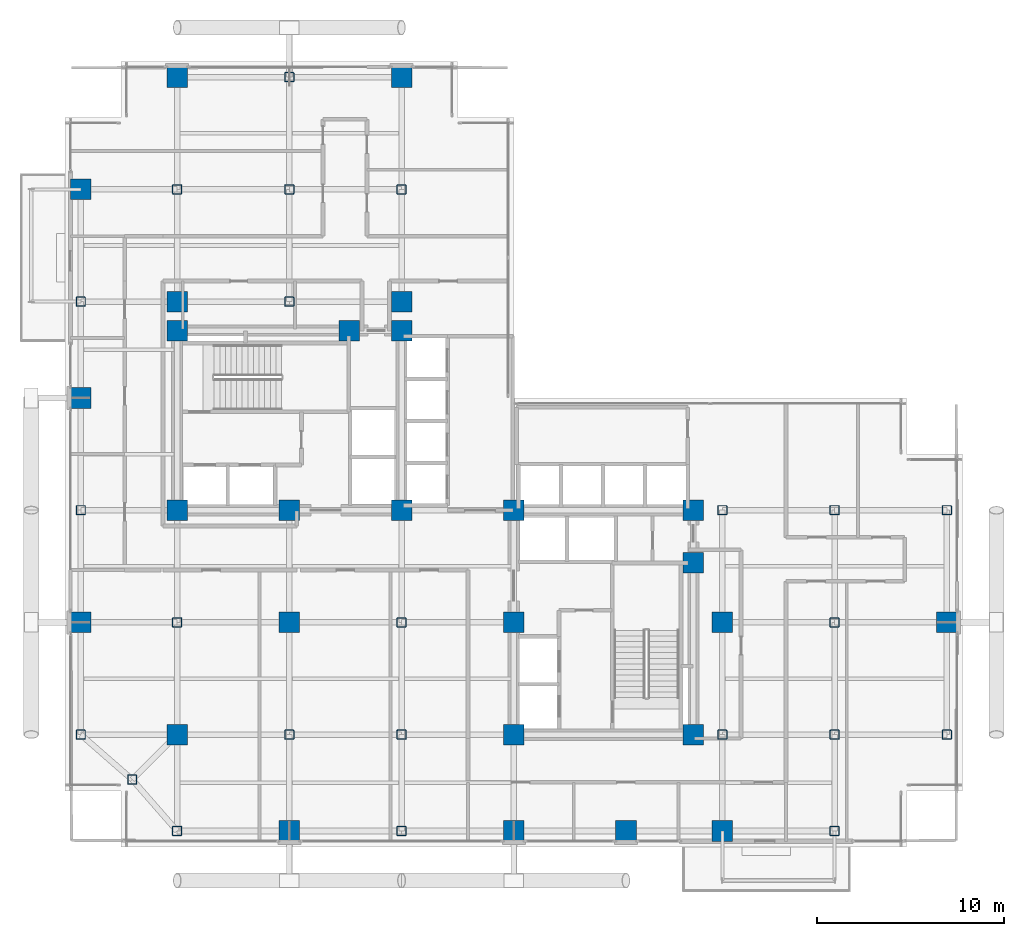
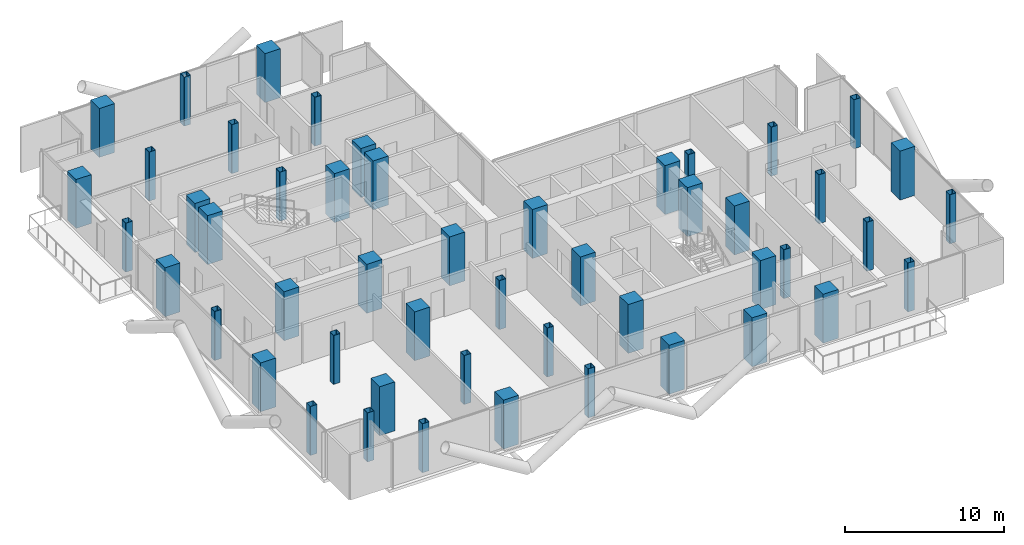
# One storey, part 1 of 28: 50 columns.
"""IFC4 building model written with IfcOpenShell, lengths in metres."""

from ifc_helpers import new_model, si_unit, direction, frame, origin, origin_2d, place, context, subcontext, project, spatial, rectangle, hollow_rectangle, extrude, material, material_profile, profile_set, type_object, element, save


model = new_model("IFC4")

# Units and contexts
model_context = context("Model", 3, precision=1e-05, world=origin(), true_north=direction((0.0, 1.0)))
body_context = subcontext(model_context, "Body", "Model", "MODEL_VIEW")
ifc_project = project(units=[si_unit("LENGTHUNIT", "METRE"), si_unit("AREAUNIT", "SQUARE_METRE"), si_unit("VOLUMEUNIT", "CUBIC_METRE"), si_unit("PLANEANGLEUNIT", "RADIAN"), si_unit("MASSUNIT", "GRAM", prefix="KILO"), si_unit("THERMODYNAMICTEMPERATUREUNIT", "KELVIN"), si_unit("POWERUNIT", "WATT")], contexts=[model_context])

# Site, building, storey
site_placement = place(None, origin())
site = spatial("IfcSite", under=ifc_project, at=site_placement, CompositionType="ELEMENT")
building_placement = place(site_placement, origin())
building = spatial("IfcBuilding", under=site, at=building_placement, Name="Svarakhadi Broadcast Tower", CompositionType="ELEMENT")
storey_placement = place(building_placement, frame((0.0, 0.0, 107.10009765625)))
storey = spatial("IfcBuildingStorey", under=building, at=storey_placement, Name="L25", CompositionType="ELEMENT", Elevation=107.10009765625)

# Columns
ifc_material_1 = material(Name="Concrete C50/60 (IS 456 M60)", Category="concrete")
ifc_material_profile_1 = material_profile(ifc_material_1, rectangle(XDim=1.10009765625, YDim=1.10009765625, at=origin_2d()), Name="RC 1100x1100")
ifc_profile_set_1 = profile_set([ifc_material_profile_1], Name="Concrete C50/60 (IS 456 M60)")
column_type_1 = type_object("IfcColumnType", Name="Col_RC1100", PredefinedType="COLUMN", material=ifc_profile_set_1)
for number, where, z_axis, x_axis, name in (
    (1, (6.0, 18.0, 0.0), (0.0, 0.0, 1.0), (1.0, 0.0, 0.0), "L25 Column CW1"),
    (2, (12.0, 18.0, 0.0), (0.0, 0.0, 1.0), (1.0, 0.0, 0.0), "L25 Column CW2"),
    (3, (18.0, 18.0, 0.0), (0.0, 0.0, 1.0), (1.0, 0.0, 0.0), "L25 Column CW3"),
    (4, (6.0, 27.60009765625, 0.0), (0.0, 0.0, 1.0), (1.0, 0.0, 0.0), "L25 Column CW4"),
    (5, (15.199951171875, 27.60009765625, 0.0), (0.0, 0.0, 1.0), (1.0, 0.0, 0.0), "L25 Column CW5"),
    (6, (18.0, 27.60009765625, 0.0), (0.0, 0.0, 1.0), (1.0, 0.0, 0.0), "L25 Column CW6"),
    (7, (24.0, 6.0, 0.0), (0.0, 0.0, 1.0), (1.0, 0.0, 0.0), "L25 Column CE1"),
    (8, (24.0, 12.0, 0.0), (0.0, 0.0, 1.0), (1.0, 0.0, 0.0), "L25 Column CE2"),
    (9, (24.0, 18.0, 0.0), (0.0, 0.0, 1.0), (1.0, 0.0, 0.0), "L25 Column CE3"),
    (10, (33.60009765625, 6.0, 0.0), (0.0, 0.0, 1.0), (1.0, 0.0, 0.0), "L25 Column CE4"),
    (11, (33.60009765625, 15.199951171875, 0.0), (0.0, 0.0, 1.0), (1.0, 0.0, 0.0), "L25 Column CE5"),
    (12, (33.60009765625, 18.0, 0.0), (0.0, 0.0, 1.0), (1.0, 0.0, 0.0), "L25 Column CE6"),
    (13, (0.85009765625, 12.0, 0.0), (0.0, 0.0, 1.0), (1.0, 0.0, 0.0), "L25 Column G04"),
    (14, (0.85009765625, 24.0, 0.0), (0.0, 0.0, 1.0), (1.0, 0.0, 0.0), "L25 Column G06"),
    (15, (0.85009765625, 35.14990234375, 0.0), (0.0, 0.0, 1.0), (1.0, 0.0, 0.0), "L25 Column G08"),
    (16, (6.0, 6.0, 0.0), (0.0, 0.0, 1.0), (1.0, 0.0, 0.0), "L25 Column G12"),
    (17, (6.0, 29.14990234375, 0.0), (0.0, 0.0, 1.0), (1.0, 0.0, 0.0), "L25 Column G14"),
    (18, (6.0, 41.14990234375, 0.0), (0.0, 0.0, 1.0), (1.0, 0.0, 0.0), "L25 Column G16"),
    (19, (12.0, 0.85009765625, 0.0), (0.0, 0.0, 1.0), (1.0, 0.0, 0.0), "L25 Column G18"),
    (20, (12.0, 12.0, 0.0), (0.0, 0.0, 1.0), (1.0, 0.0, 0.0), "L25 Column G20"),
    (21, (18.0, 29.14990234375, 0.0), (0.0, 0.0, 1.0), (1.0, 0.0, 0.0), "L25 Column G28"),
    (22, (18.0, 41.14990234375, 0.0), (0.0, 0.0, 1.0), (1.0, 0.0, 0.0), "L25 Column G30"),
    (23, (24.0, 0.85009765625, 0.0), (0.0, 0.0, 1.0), (1.0, 0.0, 0.0), "L25 Column G32"),
    (24, (30.0, 0.85009765625, 0.0), (0.0, 0.0, 1.0), (1.0, 0.0, 0.0), "L25 Column G36"),
    (25, (35.14990234375, 0.85009765625, 0.0), (0.0, 0.0, 1.0), (1.0, 0.0, 0.0), "L25 Column G38"),
    (26, (35.14990234375, 12.0, 0.0), (0.0, 0.0, 1.0), (1.0, 0.0, 0.0), "L25 Column G40"),
    (27, (47.14990234375, 12.0, 0.0), (0.0, 0.0, 1.0), (1.0, 0.0, 0.0), "L25 Column G52"),
):
    element("IfcColumn", number, at=place(storey_placement, frame(where, z_axis=z_axis, x_axis=x_axis)), inside=storey, type_object=column_type_1, Name=name, PredefinedType="COLUMN", context=body_context, shape_type="SweptSolid", body=[
        extrude(rectangle(XDim=1.10009765625, YDim=1.10009765625, at=origin_2d()), origin(), (0.0, 0.0, 1.0), 3.75),
    ])
ifc_material_2 = material(Name="Steel S460ML (IS 2062 E450BR)", Category="steel")
ifc_material_profile_2 = material_profile(ifc_material_2, hollow_rectangle(XDim=0.5, YDim=0.5, WallThickness=0.02490234375, InnerFilletRadius=0.02490234375, OuterFilletRadius=0.0400390625, at=origin_2d()), Name="SHS 500x500x25")
ifc_profile_set_2 = profile_set([ifc_material_profile_2], Name="Steel S460ML (IS 2062 E450BR)")
column_type_2 = type_object("IfcColumnType", Name="Col_SHS500", PredefinedType="COLUMN", material=ifc_profile_set_2)
for number, where, z_axis, x_axis, name in (
    (28, (3.60009765625, 3.60009765625, 0.0), (0.0, 0.0, 1.0), (1.0, 0.0, 0.0), "L25 Column G01"),
    (29, (0.85009765625, 6.0, 0.0), (0.0, 0.0, 1.0), (1.0, 0.0, 0.0), "L25 Column G03"),
    (30, (0.85009765625, 18.0, 0.0), (0.0, 0.0, 1.0), (1.0, 0.0, 0.0), "L25 Column G05"),
    (31, (0.85009765625, 29.14990234375, 0.0), (0.0, 0.0, 1.0), (1.0, 0.0, 0.0), "L25 Column G07"),
    (32, (6.0, 0.85009765625, 0.0), (0.0, 0.0, 1.0), (1.0, 0.0, 0.0), "L25 Column G11"),
    (33, (6.0, 12.0, 0.0), (0.0, 0.0, 1.0), (1.0, 0.0, 0.0), "L25 Column G13"),
    (34, (6.0, 35.14990234375, 0.0), (0.0, 0.0, 1.0), (1.0, 0.0, 0.0), "L25 Column G15"),
    (35, (12.0, 6.0, 0.0), (0.0, 0.0, 1.0), (1.0, 0.0, 0.0), "L25 Column G19"),
    (36, (12.0, 29.14990234375, 0.0), (0.0, 0.0, 1.0), (1.0, 0.0, 0.0), "L25 Column G21"),
    (37, (12.0, 35.14990234375, 0.0), (0.0, 0.0, 1.0), (1.0, 0.0, 0.0), "L25 Column G22"),
    (38, (12.0, 41.14990234375, 0.0), (0.0, 0.0, 1.0), (1.0, 0.0, 0.0), "L25 Column G23"),
    (39, (18.0, 0.85009765625, 0.0), (0.0, 0.0, 1.0), (1.0, 0.0, 0.0), "L25 Column G25"),
    (40, (18.0, 6.0, 0.0), (0.0, 0.0, 1.0), (1.0, 0.0, 0.0), "L25 Column G26"),
    (41, (18.0, 12.0, 0.0), (0.0, 0.0, 1.0), (1.0, 0.0, 0.0), "L25 Column G27"),
    (42, (18.0, 35.14990234375, 0.0), (0.0, 0.0, 1.0), (1.0, 0.0, 0.0), "L25 Column G29"),
    (43, (35.14990234375, 6.0, 0.0), (0.0, 0.0, 1.0), (1.0, 0.0, 0.0), "L25 Column G39"),
    (44, (35.14990234375, 18.0, 0.0), (0.0, 0.0, 1.0), (1.0, 0.0, 0.0), "L25 Column G41"),
    (45, (41.14990234375, 0.85009765625, 0.0), (0.0, 0.0, 1.0), (1.0, 0.0, 0.0), "L25 Column G43"),
    (46, (41.14990234375, 6.0, 0.0), (0.0, 0.0, 1.0), (1.0, 0.0, 0.0), "L25 Column G44"),
    (47, (41.14990234375, 12.0, 0.0), (0.0, 0.0, 1.0), (1.0, 0.0, 0.0), "L25 Column G45"),
    (48, (41.14990234375, 18.0, 0.0), (0.0, 0.0, 1.0), (1.0, 0.0, 0.0), "L25 Column G46"),
    (49, (47.14990234375, 6.0, 0.0), (0.0, 0.0, 1.0), (1.0, 0.0, 0.0), "L25 Column G51"),
    (50, (47.14990234375, 18.0, 0.0), (0.0, 0.0, 1.0), (1.0, 0.0, 0.0), "L25 Column G53"),
):
    element("IfcColumn", number, at=place(storey_placement, frame(where, z_axis=z_axis, x_axis=x_axis)), inside=storey, type_object=column_type_2, Name=name, PredefinedType="COLUMN", context=body_context, shape_type="SweptSolid", body=[
        extrude(hollow_rectangle(XDim=0.5, YDim=0.5, WallThickness=0.02490234375, InnerFilletRadius=0.02490234375, OuterFilletRadius=0.0400390625, at=origin_2d()), origin(), (0.0, 0.0, 1.0), 3.75),
    ])

save(model, "model.ifc")
